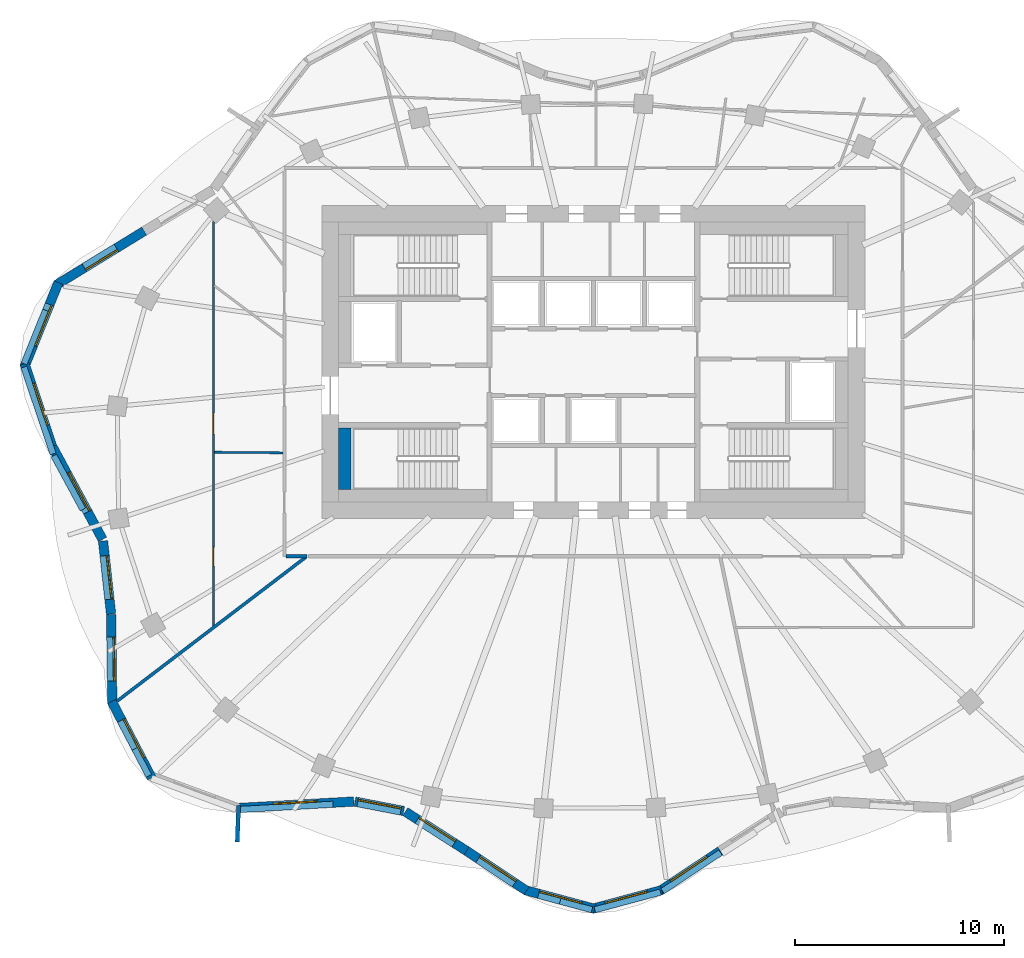
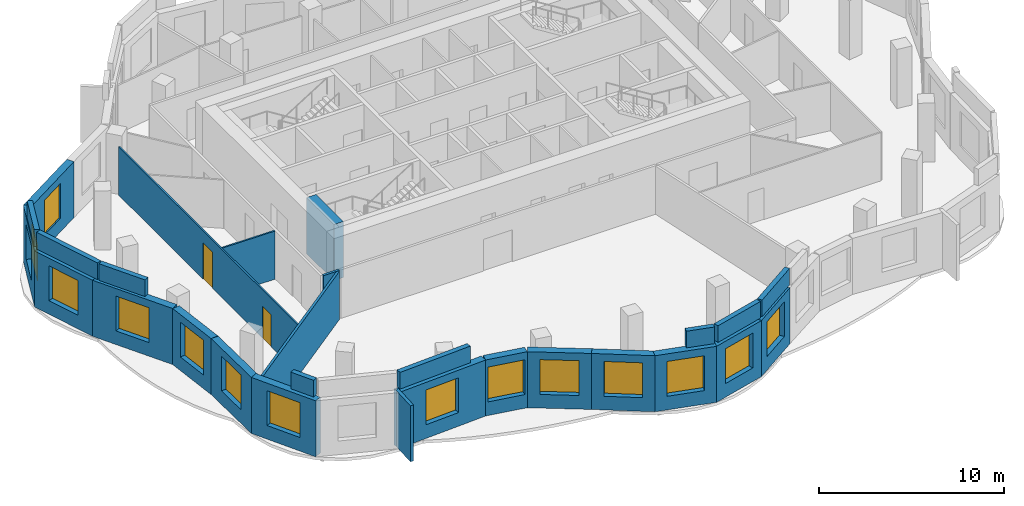
# One storey, part 3 of 9: 28 walls, 14 windows, 2 doors, 16 openings.
"""IFC4 building model written with IfcOpenShell, lengths in metres."""

import ifcopenshell
import ifcopenshell.guid

model = None  # the IFC model being written
_history = None  # IfcOwnerHistory: only IFC2X3 demands one
_inside = {}  # id of a spatial element -> (the spatial element, [elements in it])
_under = {}  # id of a project, library or spatial element -> (it, [spatial elements below it])
_declared = {}  # id of a project -> (the project, [libraries it declares])
_typed = {}  # id of a type object -> (the type object, [elements of that type])
_made_of = {}  # id of a material, layer set ... -> (it, [elements and type objects made of it])


def new_model(schema):
    """Start an empty IFC model of exactly this schema.

    Asked for "IFC4X3", IfcOpenShell would pick the latest addendum, in which some entities
    have other attributes; the version numbers below select the first issue.
    IFC2X3 requires an IfcOwnerHistory on every rooted entity: one is made here for all.
    """
    global model, _history
    if schema == "IFC4X3":
        model = ifcopenshell.file(schema_version=(4, 3, 0, 0))
    else:
        model = ifcopenshell.file(schema=schema)
    _inside.clear()
    _under.clear()
    _declared.clear()
    _typed.clear()
    _made_of.clear()
    _history = None
    if model.schema == "IFC2X3":
        org = make("IfcOrganization", Name="unknown")
        user = make(
            "IfcPersonAndOrganization",
            ThePerson=make("IfcPerson", FamilyName="unknown"),
            TheOrganization=org,
        )
        app = make(
            "IfcApplication",
            ApplicationDeveloper=org,
            Version="unknown",
            ApplicationFullName="unknown",
            ApplicationIdentifier="unknown",
        )
        _history = make(
            "IfcOwnerHistory",
            OwningUser=user,
            OwningApplication=app,
            ChangeAction="ADDED",
            CreationDate=0,
        )
    return model


def make(cls, **values):
    """One entity of the class cls with the attributes given. An attribute that is None is left unset."""
    return model.create_entity(
        cls, **{name: value for name, value in values.items() if value is not None}
    )


def rooted(cls, **values):
    """An entity with a GlobalId (a new one), such as an element, a storey or a relation."""
    return make(cls, GlobalId=ifcopenshell.guid.new(), OwnerHistory=_history, **values)


def si_unit(unit_type, name, prefix=None):
    """IfcSIUnit, for example si_unit("LENGTHUNIT", "METRE", prefix="MILLI")."""
    return make("IfcSIUnit", UnitType=unit_type, Prefix=prefix, Name=name)


def assignment(units):
    """IfcUnitAssignment: the units of a project."""
    return None if units is None else make("IfcUnitAssignment", Units=units)


def point(xyz):
    """IfcCartesianPoint."""
    return None if xyz is None else make("IfcCartesianPoint", Coordinates=xyz)


def direction(xyz):
    """IfcDirection."""
    return None if xyz is None else make("IfcDirection", DirectionRatios=xyz)


def frame(location, z_axis=None, x_axis=None):
    """IfcAxis2Placement3D, a coordinate frame: its origin and axes. An axis left out is left unset."""
    return make(
        "IfcAxis2Placement3D",
        Location=point(location),
        Axis=direction(z_axis),
        RefDirection=direction(x_axis),
    )


def frame_2d(location, x_axis=None):
    """IfcAxis2Placement2D, a coordinate frame in the plane: its origin and x axis."""
    return make(
        "IfcAxis2Placement2D", Location=point(location), RefDirection=direction(x_axis)
    )


def origin():
    """The frame at (0, 0, 0) with its axes left unset."""
    return frame((0.0, 0.0, 0.0))


def place(relative_to, where):
    """IfcLocalPlacement: puts the frame where relative to a parent placement (None: the world)."""
    return make(
        "IfcLocalPlacement", PlacementRelTo=relative_to, RelativePlacement=where
    )


def context(
    kind, dimensions, precision=None, world=None, true_north=None, identifier=None
):
    """IfcGeometricRepresentationContext, for example the 3D "Model" context."""
    return make(
        "IfcGeometricRepresentationContext",
        ContextIdentifier=identifier,
        ContextType=kind,
        CoordinateSpaceDimension=dimensions,
        Precision=precision,
        WorldCoordinateSystem=world,
        TrueNorth=true_north,
    )


def subcontext(parent, identifier, kind, view, scale=None):
    """IfcGeometricRepresentationSubContext, for example "Body" below "Model"."""
    return make(
        "IfcGeometricRepresentationSubContext",
        ContextIdentifier=identifier,
        ContextType=kind,
        ParentContext=parent,
        TargetScale=scale,
        TargetView=view,
    )


def project(units=None, contexts=None):
    """IfcProject with its units and contexts."""
    return rooted(
        "IfcProject",
        Name="project",
        RepresentationContexts=contexts,
        UnitsInContext=assignment(units),
    )


def spatial(cls, under=None, at=None, **own):
    """A site, building, storey or space (cls), placed at a placement, below another one or the project."""
    s = rooted(cls, ObjectPlacement=at, **own)
    if under is not None:
        _under.setdefault(under.id(), (under, []))[1].append(s)
    return s


def profile(cls, at=None, kind="AREA", **sizes):
    """A parametric profile (cls). Its sizes go by their IFC names, for example OverallWidth=200.0."""
    return make(cls, ProfileType=kind, Position=at, **sizes)


def rectangle(**sizes):
    """IfcRectangleProfileDef."""
    return profile("IfcRectangleProfileDef", **sizes)


def extrude(swept, where, along, depth):
    """IfcExtrudedAreaSolid: the profile swept, set in the frame where, extruded along a direction by depth."""
    return make(
        "IfcExtrudedAreaSolid",
        SweptArea=swept,
        Position=where,
        ExtrudedDirection=direction(along),
        Depth=depth,
    )


def shape(context_of_items, identifier, shape_type, items):
    """IfcShapeRepresentation: the items that make up one representation, for example the "Body"."""
    return make(
        "IfcShapeRepresentation",
        ContextOfItems=context_of_items,
        RepresentationIdentifier=identifier,
        RepresentationType=shape_type,
        Items=items,
    )


def material(Name=None, Category=None):
    """IfcMaterial."""
    return make("IfcMaterial", Name=Name, Category=Category)


def layer(
    of_material, thickness, ventilated=None, Name=None, Category=None, Priority=None
):
    """IfcMaterialLayer: one layer of a wall or slab, of a material (None: an air gap)."""
    return make(
        "IfcMaterialLayer",
        Material=of_material,
        LayerThickness=thickness,
        IsVentilated=ventilated,
        Name=Name,
        Category=Category,
        Priority=Priority,
    )


def layer_set(layers, Name=None):
    """IfcMaterialLayerSet."""
    return make("IfcMaterialLayerSet", MaterialLayers=layers, LayerSetName=Name)


def made_of(thing, what):
    """Note that an element or type object is made of a material, layer set ...; save() writes the relation."""
    if what is not None:
        _made_of.setdefault(what.id(), (what, []))[1].append(thing)
    return thing


def type_object(cls, material=None, **own):
    """A type object (cls), such as IfcWallType, which elements share."""
    return made_of(rooted(cls, **own), material)


def element(
    cls,
    number,
    at=None,
    inside=None,
    cuts=None,
    type_object=None,
    material=None,
    context=None,
    identifier="Body",
    shape_type=None,
    held_by="IfcProductDefinitionShape",
    body=None,
    shapes=None,
    **own,
):
    """One element of the class cls, such as IfcWall. Its Tag is "e" and its number.

    at: its placement. inside: the storey or other place that contains it. cuts: it is an
    opening in that element (IfcRelVoidsElement). A single representation is given by context,
    identifier, shape_type and body (its items); several are given by shapes. held_by: the class
    of the entity that holds the representations. save() writes the other relations.
    """
    e = rooted(cls, Tag="e%d" % number, ObjectPlacement=at, **own)
    if body is not None:
        shapes = [shape(context, identifier, shape_type, body)]
    if shapes is not None:
        e.Representation = make(held_by, Representations=shapes)
    if inside is not None:
        _inside.setdefault(inside.id(), (inside, []))[1].append(e)
    if cuts is not None:
        rooted(
            "IfcRelVoidsElement", RelatingBuildingElement=cuts, RelatedOpeningElement=e
        )
    if type_object is not None:
        _typed.setdefault(type_object.id(), (type_object, []))[1].append(e)
    return made_of(e, material)


def fill(opening, filler):
    """IfcRelFillsElement: the door or window that sits in an opening."""
    return rooted(
        "IfcRelFillsElement",
        RelatingOpeningElement=opening,
        RelatedBuildingElement=filler,
    )


def aggregate(whole, parts):
    """IfcRelAggregates: a whole, such as a stair, and the parts it consists of."""
    return rooted("IfcRelAggregates", RelatingObject=whole, RelatedObjects=parts)


def save(model, path):
    """Write the relations noted so far, then the file.

    IfcRelAggregates (storeys below a building ...), IfcRelContainedInSpatialStructure (elements
    in a storey), IfcRelDefinesByType, IfcRelAssociatesMaterial and IfcRelDeclares: one each for
    every whole, place, type object, material and project.
    """
    for whole, parts in _under.values():
        aggregate(whole, parts)
    for where, things in _inside.values():
        rooted(
            "IfcRelContainedInSpatialStructure",
            RelatedElements=things,
            RelatingStructure=where,
        )
    for kind, things in _typed.values():
        rooted("IfcRelDefinesByType", RelatedObjects=things, RelatingType=kind)
    for what, things in _made_of.values():
        rooted("IfcRelAssociatesMaterial", RelatedObjects=things, RelatingMaterial=what)
    for by, libraries in _declared.values():
        rooted("IfcRelDeclares", RelatingContext=by, RelatedDefinitions=libraries)
    model.write(path)


model = new_model("IFC4")

# Units and contexts
model_context = context("Model", 3, precision=1e-05, world=origin(), true_north=direction((0.0, 1.0)))
body_context = subcontext(model_context, "Body", "Model", "MODEL_VIEW")
ifc_project = project(units=[si_unit("LENGTHUNIT", "METRE"), si_unit("AREAUNIT", "SQUARE_METRE"), si_unit("VOLUMEUNIT", "CUBIC_METRE"), si_unit("PLANEANGLEUNIT", "RADIAN"), si_unit("MASSUNIT", "GRAM", prefix="KILO")], contexts=[model_context])

# Site, building, storey
site_placement = place(None, origin())
site = spatial("IfcSite", under=ifc_project, at=site_placement, CompositionType="ELEMENT")
building_placement = place(site_placement, origin())
building = spatial("IfcBuilding", under=site, at=building_placement, Name="Rubra Terraces Tower", CompositionType="ELEMENT")
storey_placement = place(building_placement, frame((0.0, 0.0, 268.800048828125)))
storey = spatial("IfcBuildingStorey", under=building, at=storey_placement, Name="L66", CompositionType="ELEMENT", Elevation=268.800048828125)

# Wall, opening, window
ifc_material_1 = material(Name="Brick masonry red-brown", Category="masonry")
ifc_layer_1 = layer(ifc_material_1, 0.449951171875)
ifc_layer_set_1 = layer_set([ifc_layer_1], Name="Brick masonry red-brown")
wall_type_1 = type_object("IfcWallType", Name="Brick facade wall 450", PredefinedType="SOLIDWALL", material=ifc_layer_set_1)
wall_1_placement = place(storey_placement, frame((-21.509521484375, 10.77490234375, 0.0), z_axis=(0.0, 0.0, 1.0), x_axis=(-0.852642584462, -0.522494615439, 0.0)))
wall_1 = element("IfcWall", 1, at=wall_1_placement, inside=storey, type_object=wall_type_1, Name="Facade wall L66 bay 18", PredefinedType="SOLIDWALL", context=body_context, shape_type="SweptSolid", body=[
    extrude(rectangle(XDim=4.923583984375, YDim=0.449951171875, at=frame_2d((2.4619140625, 0.0))), origin(), (0.0, 0.0, 1.0), 3.699951171875),
])
opening_1_placement = place(wall_1_placement, frame((1.561767578125, 0.0, 0.89990234375)))
opening_1 = element("IfcOpeningElement", 2, at=opening_1_placement, cuts=wall_1, Name="Opening W6B", PredefinedType="OPENING", context=body_context, shape_type="SweptSolid", body=[
    extrude(rectangle(XDim=1.800048828125, YDim=2.300048828125, at=frame_2d((0.89990234375, 1.14990234375))), frame((0.0, 0.23486328125, 0.0), z_axis=(0.0, -1.0, 0.0), x_axis=(1.0, 0.0, 0.0)), (0.0, 0.0, 1.0), 0.469970703125),
])
ifc_material_2 = material(Name="Clear glass in aluminium frame", Category="aluminium")
window_type_1 = type_object("IfcWindowType", Name="Fixed deep-set window at wind fin tall storey 1800 x 2300", PartitioningType="SINGLE_PANEL", PredefinedType="WINDOW", material=ifc_material_2)
window_1_placement = place(opening_1_placement, origin())
window_1 = element("IfcWindow", 3, at=window_1_placement, inside=storey, type_object=window_type_1, Name="Window L66 bay 18", OverallHeight=2.300048828125, OverallWidth=1.800048828125, PartitioningType="SINGLE_PANEL", PredefinedType="WINDOW", context=body_context, shape_type="SweptSolid", body=[
    extrude(rectangle(XDim=1.800048828125, YDim=2.300048828125, at=frame_2d((0.89990234375, 1.14990234375))), frame((0.0, 0.135009765625, 0.0), z_axis=(0.0, -1.0, 0.0), x_axis=(1.0, 0.0, 0.0)), (0.0, 0.0, 1.0), 0.06005859375),
])
fill(opening_1, window_1)

wall_2_placement = place(storey_placement, frame((-25.620361328125, 8.307861328125, 0.0), z_axis=(0.0, 0.0, 1.0), x_axis=(-0.373899958574, -0.927469040442, 0.0)))
wall_2 = element("IfcWall", 4, at=wall_2_placement, inside=storey, type_object=wall_type_1, Name="Facade wall L66 bay 19", PredefinedType="SOLIDWALL", context=body_context, shape_type="SweptSolid", body=[
    extrude(rectangle(XDim=4.359130859375, YDim=0.449951171875, at=frame_2d((2.1796875, 0.0))), origin(), (0.0, 0.0, 1.0), 3.699951171875),
])
opening_2_placement = place(wall_2_placement, frame((1.129638671875, 0.0, 0.89990234375)))
opening_2 = element("IfcOpeningElement", 5, at=opening_2_placement, cuts=wall_2, Name="Opening W1B", PredefinedType="OPENING", context=body_context, shape_type="SweptSolid", body=[
    extrude(rectangle(XDim=2.10009765625, YDim=2.300048828125, at=frame_2d((1.050048828125, 1.14990234375))), frame((0.0, 0.23486328125, 0.0), z_axis=(0.0, -1.0, 0.0), x_axis=(1.0, 0.0, 0.0)), (0.0, 0.0, 1.0), 0.469970703125),
])
window_type_2 = type_object("IfcWindowType", Name="Fixed deep-set window tall storey 2100 x 2300", PartitioningType="SINGLE_PANEL", PredefinedType="WINDOW", material=ifc_material_2)
window_2_placement = place(opening_2_placement, origin())
window_2 = element("IfcWindow", 6, at=window_2_placement, inside=storey, type_object=window_type_2, Name="Window L66 bay 19", OverallHeight=2.300048828125, OverallWidth=2.10009765625, PartitioningType="SINGLE_PANEL", PredefinedType="WINDOW", context=body_context, shape_type="SweptSolid", body=[
    extrude(rectangle(XDim=2.10009765625, YDim=2.300048828125, at=frame_2d((1.050048828125, 1.14990234375))), frame((0.0, 0.135009765625, 0.0), z_axis=(0.0, -1.0, 0.0), x_axis=(1.0, 0.0, 0.0)), (0.0, 0.0, 1.0), 0.06005859375),
])
fill(opening_2, window_2)

wall_3_placement = place(storey_placement, frame((-27.24560546875, 4.420654296875, 0.0), z_axis=(0.0, 0.0, 1.0), x_axis=(0.318014723139, -0.94808577453, 0.0)))
wall_3 = element("IfcWall", 7, at=wall_3_placement, inside=storey, type_object=wall_type_1, Name="Facade wall L66 bay 20", PredefinedType="SOLIDWALL", context=body_context, shape_type="SweptSolid", body=[
    extrude(rectangle(XDim=4.179443359375, YDim=0.449951171875, at=frame_2d((2.08984375, 0.0))), origin(), (0.0, 0.0, 1.0), 3.699951171875),
])
opening_3_placement = place(wall_3_placement, frame((1.039794921875, 0.0, 0.89990234375)))
opening_3 = element("IfcOpeningElement", 8, at=opening_3_placement, cuts=wall_3, Name="Opening W1B", PredefinedType="OPENING", context=body_context, shape_type="SweptSolid", body=[
    extrude(rectangle(XDim=2.10009765625, YDim=2.300048828125, at=frame_2d((1.050048828125, 1.14990234375))), frame((0.0, 0.23486328125, 0.0), z_axis=(0.0, -1.0, 0.0), x_axis=(1.0, 0.0, 0.0)), (0.0, 0.0, 1.0), 0.469970703125),
])
window_3_placement = place(opening_3_placement, origin())
window_3 = element("IfcWindow", 9, at=window_3_placement, inside=storey, type_object=window_type_2, Name="Window L66 bay 20", OverallHeight=2.300048828125, OverallWidth=2.10009765625, PartitioningType="SINGLE_PANEL", PredefinedType="WINDOW", context=body_context, shape_type="SweptSolid", body=[
    extrude(rectangle(XDim=2.10009765625, YDim=2.300048828125, at=frame_2d((1.050048828125, 1.14990234375))), frame((0.0, 0.135009765625, 0.0), z_axis=(0.0, -1.0, 0.0), x_axis=(1.0, 0.0, 0.0)), (0.0, 0.0, 1.0), 0.06005859375),
])
fill(opening_3, window_3)

wall_4_placement = place(storey_placement, frame((-25.931884765625, 0.49365234375, 0.0), z_axis=(0.0, 0.0, 1.0), x_axis=(0.475489989979, -0.879721131626, 0.0)))
wall_4 = element("IfcWall", 10, at=wall_4_placement, inside=storey, type_object=wall_type_1, Name="Facade wall L66 bay 21", PredefinedType="SOLIDWALL", context=body_context, shape_type="SweptSolid", body=[
    extrude(rectangle(XDim=5.09814453125, YDim=0.449951171875, at=frame_2d((2.549072265625, 0.0))), origin(), (0.0, 0.0, 1.0), 3.699951171875),
])
opening_4_placement = place(wall_4_placement, frame((1.4990234375, 0.0, 0.89990234375)))
opening_4 = element("IfcOpeningElement", 11, at=opening_4_placement, cuts=wall_4, Name="Opening W1B", PredefinedType="OPENING", context=body_context, shape_type="SweptSolid", body=[
    extrude(rectangle(XDim=2.10009765625, YDim=2.300048828125, at=frame_2d((1.050048828125, 1.14990234375))), frame((0.0, 0.23486328125, 0.0), z_axis=(0.0, -1.0, 0.0), x_axis=(1.0, 0.0, 0.0)), (0.0, 0.0, 1.0), 0.469970703125),
])
window_4_placement = place(opening_4_placement, origin())
window_4 = element("IfcWindow", 12, at=window_4_placement, inside=storey, type_object=window_type_2, Name="Window L66 bay 21", OverallHeight=2.300048828125, OverallWidth=2.10009765625, PartitioningType="SINGLE_PANEL", PredefinedType="WINDOW", context=body_context, shape_type="SweptSolid", body=[
    extrude(rectangle(XDim=2.10009765625, YDim=2.300048828125, at=frame_2d((1.050048828125, 1.14990234375))), frame((0.0, 0.135009765625, 0.0), z_axis=(0.0, -1.0, 0.0), x_axis=(1.0, 0.0, 0.0)), (0.0, 0.0, 1.0), 0.06005859375),
])
fill(opening_4, window_4)

wall_5_placement = place(storey_placement, frame((-23.48291015625, -4.0673828125, 0.0), z_axis=(0.0, 0.0, 1.0), x_axis=(0.109342535662, -0.994004129717, 0.0)))
wall_5 = element("IfcWall", 13, at=wall_5_placement, inside=storey, type_object=wall_type_1, Name="Facade wall L66 bay 22", PredefinedType="SOLIDWALL", context=body_context, shape_type="SweptSolid", body=[
    extrude(rectangle(XDim=3.518798828125, YDim=0.449951171875, at=frame_2d((1.75927734375, 0.0))), origin(), (0.0, 0.0, 1.0), 3.699951171875),
])
opening_5_placement = place(wall_5_placement, frame((0.70947265625, 0.0, 0.89990234375)))
opening_5 = element("IfcOpeningElement", 14, at=opening_5_placement, cuts=wall_5, Name="Opening W1B", PredefinedType="OPENING", context=body_context, shape_type="SweptSolid", body=[
    extrude(rectangle(XDim=2.10009765625, YDim=2.300048828125, at=frame_2d((1.050048828125, 1.14990234375))), frame((0.0, 0.23486328125, 0.0), z_axis=(0.0, -1.0, 0.0), x_axis=(1.0, 0.0, 0.0)), (0.0, 0.0, 1.0), 0.469970703125),
])
window_5_placement = place(opening_5_placement, origin())
window_5 = element("IfcWindow", 15, at=window_5_placement, inside=storey, type_object=window_type_2, Name="Window L66 bay 22", OverallHeight=2.300048828125, OverallWidth=2.10009765625, PartitioningType="SINGLE_PANEL", PredefinedType="WINDOW", context=body_context, shape_type="SweptSolid", body=[
    extrude(rectangle(XDim=2.10009765625, YDim=2.300048828125, at=frame_2d((1.050048828125, 1.14990234375))), frame((0.0, 0.135009765625, 0.0), z_axis=(0.0, -1.0, 0.0), x_axis=(1.0, 0.0, 0.0)), (0.0, 0.0, 1.0), 0.06005859375),
])
fill(opening_5, window_5)

wall_6_placement = place(storey_placement, frame((-23.09619140625, -7.587890625, 0.0), z_axis=(0.0, 0.0, 1.0), x_axis=(0.013129602116, -0.999913803059, 0.0)))
wall_6 = element("IfcWall", 16, at=wall_6_placement, inside=storey, type_object=wall_type_1, Name="Facade wall L66 bay 23", PredefinedType="SOLIDWALL", context=body_context, shape_type="SweptSolid", body=[
    extrude(rectangle(XDim=4.25830078125, YDim=0.449951171875, at=frame_2d((2.129150390625, 0.0))), origin(), (0.0, 0.0, 1.0), 3.699951171875),
])
opening_6_placement = place(wall_6_placement, frame((1.0791015625, 0.0, 0.89990234375)))
opening_6 = element("IfcOpeningElement", 17, at=opening_6_placement, cuts=wall_6, Name="Opening W1B", PredefinedType="OPENING", context=body_context, shape_type="SweptSolid", body=[
    extrude(rectangle(XDim=2.10009765625, YDim=2.300048828125, at=frame_2d((1.050048828125, 1.14990234375))), frame((0.0, 0.23486328125, 0.0), z_axis=(0.0, -1.0, 0.0), x_axis=(1.0, 0.0, 0.0)), (0.0, 0.0, 1.0), 0.469970703125),
])
window_6_placement = place(opening_6_placement, origin())
window_6 = element("IfcWindow", 18, at=window_6_placement, inside=storey, type_object=window_type_2, Name="Window L66 bay 23", OverallHeight=2.300048828125, OverallWidth=2.10009765625, PartitioningType="SINGLE_PANEL", PredefinedType="WINDOW", context=body_context, shape_type="SweptSolid", body=[
    extrude(rectangle(XDim=2.10009765625, YDim=2.300048828125, at=frame_2d((1.050048828125, 1.14990234375))), frame((0.0, 0.135009765625, 0.0), z_axis=(0.0, -1.0, 0.0), x_axis=(1.0, 0.0, 0.0)), (0.0, 0.0, 1.0), 0.06005859375),
])
fill(opening_6, window_6)

wall_7_placement = place(storey_placement, frame((-23.065673828125, -11.75, 0.0), z_axis=(0.0, 0.0, 1.0), x_axis=(0.46287314096, -0.886424534508, 0.0)))
wall_7 = element("IfcWall", 19, at=wall_7_placement, inside=storey, type_object=wall_type_1, Name="Facade wall L66 bay 24", PredefinedType="SOLIDWALL", context=body_context, shape_type="SweptSolid", body=[
    extrude(rectangle(XDim=4.12890625, YDim=0.449951171875, at=frame_2d((2.064453125, 0.0))), origin(), (0.0, 0.0, 1.0), 3.699951171875),
])
opening_7_placement = place(wall_7_placement, frame((1.014404296875, 0.0, 0.89990234375)))
opening_7 = element("IfcOpeningElement", 20, at=opening_7_placement, cuts=wall_7, Name="Opening W1B", PredefinedType="OPENING", context=body_context, shape_type="SweptSolid", body=[
    extrude(rectangle(XDim=2.10009765625, YDim=2.300048828125, at=frame_2d((1.050048828125, 1.14990234375))), frame((0.0, 0.23486328125, 0.0), z_axis=(0.0, -1.0, 0.0), x_axis=(1.0, 0.0, 0.0)), (0.0, 0.0, 1.0), 0.469970703125),
])
window_7_placement = place(opening_7_placement, origin())
window_7 = element("IfcWindow", 21, at=window_7_placement, inside=storey, type_object=window_type_2, Name="Window L66 bay 24", OverallHeight=2.300048828125, OverallWidth=2.10009765625, PartitioningType="SINGLE_PANEL", PredefinedType="WINDOW", context=body_context, shape_type="SweptSolid", body=[
    extrude(rectangle(XDim=2.10009765625, YDim=2.300048828125, at=frame_2d((1.050048828125, 1.14990234375))), frame((0.0, 0.135009765625, 0.0), z_axis=(0.0, -1.0, 0.0), x_axis=(1.0, 0.0, 0.0)), (0.0, 0.0, 1.0), 0.06005859375),
])
fill(opening_7, window_7)

wall_8_placement = place(storey_placement, frame((-17.0966796875, -16.859375, 0.0), z_axis=(0.0, 0.0, 1.0), x_axis=(0.998420892714, 0.056175804331, 0.0)))
wall_8 = element("IfcWall", 22, at=wall_8_placement, inside=storey, type_object=wall_type_1, Name="Facade wall L66 bay 26", PredefinedType="SOLIDWALL", context=body_context, shape_type="SweptSolid", body=[
    extrude(rectangle(XDim=5.63232421875, YDim=0.449951171875, at=frame_2d((2.816162109375, 0.0))), origin(), (0.0, 0.0, 1.0), 3.699951171875),
])
opening_8_placement = place(wall_8_placement, frame((1.76611328125, 0.0, 0.89990234375)))
opening_8 = element("IfcOpeningElement", 23, at=opening_8_placement, cuts=wall_8, Name="Opening W1B", PredefinedType="OPENING", context=body_context, shape_type="SweptSolid", body=[
    extrude(rectangle(XDim=2.10009765625, YDim=2.300048828125, at=frame_2d((1.050048828125, 1.14990234375))), frame((0.0, 0.23486328125, 0.0), z_axis=(0.0, -1.0, 0.0), x_axis=(1.0, 0.0, 0.0)), (0.0, 0.0, 1.0), 0.469970703125),
])
window_8_placement = place(opening_8_placement, origin())
window_8 = element("IfcWindow", 24, at=window_8_placement, inside=storey, type_object=window_type_2, Name="Window L66 bay 26", OverallHeight=2.300048828125, OverallWidth=2.10009765625, PartitioningType="SINGLE_PANEL", PredefinedType="WINDOW", context=body_context, shape_type="SweptSolid", body=[
    extrude(rectangle(XDim=2.10009765625, YDim=2.300048828125, at=frame_2d((1.050048828125, 1.14990234375))), frame((0.0, 0.135009765625, 0.0), z_axis=(0.0, -1.0, 0.0), x_axis=(1.0, 0.0, 0.0)), (0.0, 0.0, 1.0), 0.06005859375),
])
fill(opening_8, window_8)

wall_9_placement = place(storey_placement, frame((-11.41796875, -16.546630859375, 0.0), z_axis=(0.0, 0.0, 1.0), x_axis=(0.981862580857, -0.189593966973, 0.0)))
wall_9 = element("IfcWall", 25, at=wall_9_placement, inside=storey, type_object=wall_type_1, Name="Facade wall L66 bay 27", PredefinedType="SOLIDWALL", context=body_context, shape_type="SweptSolid", body=[
    extrude(rectangle(XDim=2.377197265625, YDim=0.449951171875, at=frame_2d((1.1884765625, 0.0))), origin(), (0.0, 0.0, 1.0), 3.699951171875),
])
opening_9_placement = place(wall_9_placement, frame((0.138427734375, 0.0, 0.89990234375)))
opening_9 = element("IfcOpeningElement", 26, at=opening_9_placement, cuts=wall_9, Name="Opening W1B", PredefinedType="OPENING", context=body_context, shape_type="SweptSolid", body=[
    extrude(rectangle(XDim=2.10009765625, YDim=2.300048828125, at=frame_2d((1.050048828125, 1.14990234375))), frame((0.0, 0.23486328125, 0.0), z_axis=(0.0, -1.0, 0.0), x_axis=(1.0, 0.0, 0.0)), (0.0, 0.0, 1.0), 0.469970703125),
])
window_9_placement = place(opening_9_placement, origin())
window_9 = element("IfcWindow", 27, at=window_9_placement, inside=storey, type_object=window_type_2, Name="Window L66 bay 27", OverallHeight=2.300048828125, OverallWidth=2.10009765625, PartitioningType="SINGLE_PANEL", PredefinedType="WINDOW", context=body_context, shape_type="SweptSolid", body=[
    extrude(rectangle(XDim=2.10009765625, YDim=2.300048828125, at=frame_2d((1.050048828125, 1.14990234375))), frame((0.0, 0.135009765625, 0.0), z_axis=(0.0, -1.0, 0.0), x_axis=(1.0, 0.0, 0.0)), (0.0, 0.0, 1.0), 0.06005859375),
])
fill(opening_9, window_9)

wall_10_placement = place(storey_placement, frame((-9.00732421875, -17.027587890625, 0.0), z_axis=(0.0, 0.0, 1.0), x_axis=(0.841884040276, -0.539658468596, 0.0)))
wall_10 = element("IfcWall", 28, at=wall_10_placement, inside=storey, type_object=wall_type_1, Name="Facade wall L66 bay 28", PredefinedType="SOLIDWALL", context=body_context, shape_type="SweptSolid", body=[
    extrude(rectangle(XDim=3.481689453125, YDim=0.449951171875, at=frame_2d((1.74072265625, 0.0))), origin(), (0.0, 0.0, 1.0), 3.699951171875),
])
opening_10_placement = place(wall_10_placement, frame((0.69091796875, 0.0, 0.89990234375)))
opening_10 = element("IfcOpeningElement", 29, at=opening_10_placement, cuts=wall_10, Name="Opening W1B", PredefinedType="OPENING", context=body_context, shape_type="SweptSolid", body=[
    extrude(rectangle(XDim=2.10009765625, YDim=2.300048828125, at=frame_2d((1.050048828125, 1.14990234375))), frame((0.0, 0.23486328125, 0.0), z_axis=(0.0, -1.0, 0.0), x_axis=(1.0, 0.0, 0.0)), (0.0, 0.0, 1.0), 0.469970703125),
])
window_10_placement = place(opening_10_placement, origin())
window_10 = element("IfcWindow", 30, at=window_10_placement, inside=storey, type_object=window_type_2, Name="Window L66 bay 28", OverallHeight=2.300048828125, OverallWidth=2.10009765625, PartitioningType="SINGLE_PANEL", PredefinedType="WINDOW", context=body_context, shape_type="SweptSolid", body=[
    extrude(rectangle(XDim=2.10009765625, YDim=2.300048828125, at=frame_2d((1.050048828125, 1.14990234375))), frame((0.0, 0.135009765625, 0.0), z_axis=(0.0, -1.0, 0.0), x_axis=(1.0, 0.0, 0.0)), (0.0, 0.0, 1.0), 0.06005859375),
])
fill(opening_10, window_10)

wall_11_placement = place(storey_placement, frame((-6.072998046875, -18.908447265625, 0.0), z_axis=(0.0, 0.0, 1.0), x_axis=(0.832812804734, -0.553554723827, 0.0)))
wall_11 = element("IfcWall", 31, at=wall_11_placement, inside=storey, type_object=wall_type_1, Name="Facade wall L66 bay 29", PredefinedType="SOLIDWALL", context=body_context, shape_type="SweptSolid", body=[
    extrude(rectangle(XDim=3.444580078125, YDim=0.449951171875, at=frame_2d((1.72216796875, 0.0))), origin(), (0.0, 0.0, 1.0), 3.699951171875),
])
opening_11_placement = place(wall_11_placement, frame((0.67236328125, 0.0, 0.89990234375)))
opening_11 = element("IfcOpeningElement", 32, at=opening_11_placement, cuts=wall_11, Name="Opening W1B", PredefinedType="OPENING", context=body_context, shape_type="SweptSolid", body=[
    extrude(rectangle(XDim=2.10009765625, YDim=2.300048828125, at=frame_2d((1.050048828125, 1.14990234375))), frame((0.0, 0.23486328125, 0.0), z_axis=(0.0, -1.0, 0.0), x_axis=(1.0, 0.0, 0.0)), (0.0, 0.0, 1.0), 0.469970703125),
])
window_11_placement = place(opening_11_placement, origin())
window_11 = element("IfcWindow", 33, at=window_11_placement, inside=storey, type_object=window_type_2, Name="Window L66 bay 29", OverallHeight=2.300048828125, OverallWidth=2.10009765625, PartitioningType="SINGLE_PANEL", PredefinedType="WINDOW", context=body_context, shape_type="SweptSolid", body=[
    extrude(rectangle(XDim=2.10009765625, YDim=2.300048828125, at=frame_2d((1.050048828125, 1.14990234375))), frame((0.0, 0.135009765625, 0.0), z_axis=(0.0, -1.0, 0.0), x_axis=(1.0, 0.0, 0.0)), (0.0, 0.0, 1.0), 0.06005859375),
])
fill(opening_11, window_11)

wall_12_placement = place(storey_placement, frame((-3.2685546875, -20.78662109375, 0.0), z_axis=(0.0, 0.0, 1.0), x_axis=(0.965599337995, -0.260034456299, 0.0)))
wall_12 = element("IfcWall", 34, at=wall_12_placement, inside=storey, type_object=wall_type_1, Name="Facade wall L66 bay 30", PredefinedType="SOLIDWALL", context=body_context, shape_type="SweptSolid", body=[
    extrude(rectangle(XDim=3.44580078125, YDim=0.449951171875, at=frame_2d((1.722900390625, 0.0))), origin(), (0.0, 0.0, 1.0), 3.699951171875),
])
opening_12_placement = place(wall_12_placement, frame((0.6728515625, 0.0, 0.89990234375)))
opening_12 = element("IfcOpeningElement", 35, at=opening_12_placement, cuts=wall_12, Name="Opening W1B", PredefinedType="OPENING", context=body_context, shape_type="SweptSolid", body=[
    extrude(rectangle(XDim=2.10009765625, YDim=2.300048828125, at=frame_2d((1.050048828125, 1.14990234375))), frame((0.0, 0.23486328125, 0.0), z_axis=(0.0, -1.0, 0.0), x_axis=(1.0, 0.0, 0.0)), (0.0, 0.0, 1.0), 0.469970703125),
])
window_12_placement = place(opening_12_placement, origin())
window_12 = element("IfcWindow", 36, at=window_12_placement, inside=storey, type_object=window_type_2, Name="Window L66 bay 30", OverallHeight=2.300048828125, OverallWidth=2.10009765625, PartitioningType="SINGLE_PANEL", PredefinedType="WINDOW", context=body_context, shape_type="SweptSolid", body=[
    extrude(rectangle(XDim=2.10009765625, YDim=2.300048828125, at=frame_2d((1.050048828125, 1.14990234375))), frame((0.0, 0.135009765625, 0.0), z_axis=(0.0, -1.0, 0.0), x_axis=(1.0, 0.0, 0.0)), (0.0, 0.0, 1.0), 0.06005859375),
])
fill(opening_12, window_12)

wall_13_placement = place(storey_placement, frame((-0.05859375, -21.6826171875, 0.0), z_axis=(0.0, 0.0, 1.0), x_axis=(0.965599337995, 0.260034456299, 0.0)))
wall_13 = element("IfcWall", 37, at=wall_13_placement, inside=storey, type_object=wall_type_1, Name="Facade wall L66 bay 31", PredefinedType="SOLIDWALL", context=body_context, shape_type="SweptSolid", body=[
    extrude(rectangle(XDim=3.44580078125, YDim=0.449951171875, at=frame_2d((1.722900390625, 0.0))), origin(), (0.0, 0.0, 1.0), 3.699951171875),
])
opening_13_placement = place(wall_13_placement, frame((0.6728515625, 0.0, 0.89990234375)))
opening_13 = element("IfcOpeningElement", 38, at=opening_13_placement, cuts=wall_13, Name="Opening W1B", PredefinedType="OPENING", context=body_context, shape_type="SweptSolid", body=[
    extrude(rectangle(XDim=2.10009765625, YDim=2.300048828125, at=frame_2d((1.050048828125, 1.14990234375))), frame((0.0, 0.23486328125, 0.0), z_axis=(0.0, -1.0, 0.0), x_axis=(1.0, 0.0, 0.0)), (0.0, 0.0, 1.0), 0.469970703125),
])
window_13_placement = place(opening_13_placement, origin())
window_13 = element("IfcWindow", 39, at=window_13_placement, inside=storey, type_object=window_type_2, Name="Window L66 bay 31", OverallHeight=2.300048828125, OverallWidth=2.10009765625, PartitioningType="SINGLE_PANEL", PredefinedType="WINDOW", context=body_context, shape_type="SweptSolid", body=[
    extrude(rectangle(XDim=2.10009765625, YDim=2.300048828125, at=frame_2d((1.050048828125, 1.14990234375))), frame((0.0, 0.135009765625, 0.0), z_axis=(0.0, -1.0, 0.0), x_axis=(1.0, 0.0, 0.0)), (0.0, 0.0, 1.0), 0.06005859375),
])
fill(opening_13, window_13)

wall_14_placement = place(storey_placement, frame((3.204345703125, -20.815185546875, 0.0), z_axis=(0.0, 0.0, 1.0), x_axis=(0.832867193319, 0.553472888489, 0.0)))
wall_14 = element("IfcWall", 40, at=wall_14_placement, inside=storey, type_object=wall_type_1, Name="Facade wall L66 bay 32", PredefinedType="SOLIDWALL", context=body_context, shape_type="SweptSolid", body=[
    extrude(rectangle(XDim=3.444580078125, YDim=0.449951171875, at=frame_2d((1.72216796875, 0.0))), origin(), (0.0, 0.0, 1.0), 3.699951171875),
])
opening_14_placement = place(wall_14_placement, frame((0.67236328125, 0.0, 0.89990234375)))
opening_14 = element("IfcOpeningElement", 41, at=opening_14_placement, cuts=wall_14, Name="Opening W1B", PredefinedType="OPENING", context=body_context, shape_type="SweptSolid", body=[
    extrude(rectangle(XDim=2.10009765625, YDim=2.300048828125, at=frame_2d((1.050048828125, 1.14990234375))), frame((0.0, 0.23486328125, 0.0), z_axis=(0.0, -1.0, 0.0), x_axis=(1.0, 0.0, 0.0)), (0.0, 0.0, 1.0), 0.469970703125),
])
window_14_placement = place(opening_14_placement, origin())
window_14 = element("IfcWindow", 42, at=window_14_placement, inside=storey, type_object=window_type_2, Name="Window L66 bay 32", OverallHeight=2.300048828125, OverallWidth=2.10009765625, PartitioningType="SINGLE_PANEL", PredefinedType="WINDOW", context=body_context, shape_type="SweptSolid", body=[
    extrude(rectangle(XDim=2.10009765625, YDim=2.300048828125, at=frame_2d((1.050048828125, 1.14990234375))), frame((0.0, 0.135009765625, 0.0), z_axis=(0.0, -1.0, 0.0), x_axis=(1.0, 0.0, 0.0)), (0.0, 0.0, 1.0), 0.06005859375),
])
fill(opening_14, window_14)

# Walls
ifc_layer_2 = layer(ifc_material_1, 0.300048828125)
ifc_layer_set_2 = layer_set([ifc_layer_2], Name="Brick masonry red-brown")
wall_type_2 = type_object("IfcWallType", Name="Brick parapet 300", PredefinedType="PARAPET", material=ifc_layer_set_2)
wall_15_placement = place(storey_placement, frame((-26.235107421875, 6.9833984375, 3.89990234375), z_axis=(0.0, 0.0, 1.0), x_axis=(-0.373951156773, -0.927448398752, 0.0)))
element("IfcWall", 43, at=wall_15_placement, inside=storey, type_object=wall_type_2, Name="Parapet L66 bay 19", PredefinedType="PARAPET", context=body_context, shape_type="SweptSolid", body=[
    extrude(rectangle(XDim=2.76025390625, YDim=0.300048828125, at=frame_2d((1.380126953125, 0.0))), origin(), (0.0, 0.0, 1.0), 1.10009765625),
])
wall_16_placement = place(storey_placement, frame((-27.27197265625, 4.26318359375, 3.89990234375), z_axis=(0.0, 0.0, 1.0), x_axis=(0.318062148405, -0.948069865438, 0.0)))
element("IfcWall", 44, at=wall_16_placement, inside=storey, type_object=wall_type_2, Name="Parapet L66 bay 20", PredefinedType="PARAPET", context=body_context, shape_type="SweptSolid", body=[
    extrude(rectangle(XDim=4.390625, YDim=0.300048828125, at=frame_2d((2.1953125, 0.0))), origin(), (0.0, 0.0, 1.0), 1.10009765625),
])
wall_17_placement = place(storey_placement, frame((-25.841552734375, 0.022216796875, 3.89990234375), z_axis=(0.0, 0.0, 1.0), x_axis=(0.475470000897, -0.879731935448, 0.0)))
element("IfcWall", 45, at=wall_17_placement, inside=storey, type_object=wall_type_2, Name="Parapet L66 bay 21", PredefinedType="PARAPET", context=body_context, shape_type="SweptSolid", body=[
    extrude(rectangle(XDim=2.931396484375, YDim=0.300048828125, at=frame_2d((1.4658203125, 0.0))), origin(), (0.0, 0.0, 1.0), 1.10009765625),
])
wall_18_placement = place(storey_placement, frame((-21.9638671875, -14.022216796875, 3.89990234375), z_axis=(0.0, 0.0, 1.0), x_axis=(0.462943478274, -0.88638780222, 0.0)))
element("IfcWall", 46, at=wall_18_placement, inside=storey, type_object=wall_type_2, Name="Parapet L66 bay 24", PredefinedType="PARAPET", context=body_context, shape_type="SweptSolid", body=[
    extrude(rectangle(XDim=1.458740234375, YDim=0.300048828125, at=frame_2d((0.7294921875, 0.0))), origin(), (0.0, 0.0, 1.0), 1.10009765625),
])
wall_19_placement = place(storey_placement, frame((-17.00048828125, -16.92919921875, 3.89990234375), z_axis=(0.0, 0.0, 1.0), x_axis=(0.998421373715, 0.056167254777, 0.0)))
element("IfcWall", 47, at=wall_19_placement, inside=storey, type_object=wall_type_2, Name="Parapet L66 bay 26", PredefinedType="PARAPET", context=body_context, shape_type="SweptSolid", body=[
    extrude(rectangle(XDim=4.537841796875, YDim=0.300048828125, at=frame_2d((2.26904296875, 0.0))), origin(), (0.0, 0.0, 1.0), 1.10009765625),
])
wall_20_placement = place(storey_placement, frame((-1.593017578125, -21.315673828125, 3.89990234375), z_axis=(0.0, 0.0, 1.0), x_axis=(0.965600830508, -0.260028914011, 0.0)))
element("IfcWall", 48, at=wall_20_placement, inside=storey, type_object=wall_type_2, Name="Parapet L66 bay 30", PredefinedType="PARAPET", context=body_context, shape_type="SweptSolid", body=[
    extrude(rectangle(XDim=1.579345703125, YDim=0.300048828125, at=frame_2d((0.78955078125, 0.0))), origin(), (0.0, 0.0, 1.0), 1.10009765625),
])
wall_21_placement = place(storey_placement, frame((0.068115234375, -21.726318359375, 3.89990234375), z_axis=(0.0, 0.0, 1.0), x_axis=(0.965594759291, 0.260051458043, 0.0)))
element("IfcWall", 49, at=wall_21_placement, inside=storey, type_object=wall_type_2, Name="Parapet L66 bay 31", PredefinedType="PARAPET", context=body_context, shape_type="SweptSolid", body=[
    extrude(rectangle(XDim=3.255859375, YDim=0.300048828125, at=frame_2d((1.6279296875, 0.0))), origin(), (0.0, 0.0, 1.0), 1.10009765625),
])
wall_22_placement = place(storey_placement, frame((3.309814453125, -20.83544921875, 3.89990234375), z_axis=(0.0, 0.0, 1.0), x_axis=(0.832814698778, 0.553551874262, 0.0)))
element("IfcWall", 50, at=wall_22_placement, inside=storey, type_object=wall_type_2, Name="Parapet L66 bay 32", PredefinedType="PARAPET", context=body_context, shape_type="SweptSolid", body=[
    extrude(rectangle(XDim=3.337890625, YDim=0.300048828125, at=frame_2d((1.6689453125, 0.0))), origin(), (0.0, 0.0, 1.0), 1.10009765625),
])
ifc_layer_3 = layer(ifc_material_1, 0.199951171875)
ifc_layer_set_3 = layer_set([ifc_layer_3], Name="Brick masonry red-brown")
wall_type_3 = type_object("IfcWallType", Name="Brick wind fin 200", PredefinedType="SOLIDWALL", material=ifc_layer_set_3)
wall_23_placement = place(storey_placement, frame((-16.989990234375, -16.737060546875, 0.0), z_axis=(0.0, 0.0, 1.0), x_axis=(-0.038084872359, -0.999274508079, 0.0)))
element("IfcWall", 51, at=wall_23_placement, inside=storey, type_object=wall_type_3, Name="Wind fin L66 13", PredefinedType="SOLIDWALL", context=body_context, shape_type="SweptSolid", body=[
    extrude(rectangle(XDim=1.75, YDim=0.199951171875, at=frame_2d((0.875, 0.0))), origin(), (0.0, 0.0, 1.0), 3.699951171875),
])
ifc_material_3 = material(Name="Plasterboard on steel stud, mineral wool infill", Category="steel")
ifc_layer_4 = layer(ifc_material_3, 0.14990234375)
ifc_layer_set_4 = layer_set([ifc_layer_4], Name="Plasterboard on steel stud, mineral wool infill")
wall_type_4 = type_object("IfcWallType", Name="CORRIDOR PARTITION 150", PredefinedType="PARTITIONING", material=ifc_layer_set_4)
wall_24_placement = place(storey_placement, frame((-14.72509765625, -4.800048828125, 0.0), z_axis=(0.0, 0.0, 1.0), x_axis=(1.0, 0.0, 0.0)))
element("IfcWall", 52, at=wall_24_placement, inside=storey, type_object=wall_type_4, Name="PARTITION", PredefinedType="PARTITIONING", context=body_context, shape_type="SweptSolid", body=[
    extrude(rectangle(XDim=1.00390625, YDim=0.14990234375, at=frame_2d((0.501953125, 0.0))), origin(), (0.0, 0.0, 1.0), 3.197998046875),
])
ifc_material_4 = material(Name="Concrete C40", Category="concrete")
ifc_layer_5 = layer(ifc_material_4, 0.60009765625)
ifc_layer_set_5 = layer_set([ifc_layer_5], Name="Concrete C40")
wall_type_5 = type_object("IfcWallType", Name="Core lining wall 600 concrete", PredefinedType="SOLIDWALL", material=ifc_layer_set_5)
wall_25_placement = place(storey_placement, frame((-11.89990234375, -1.60009765625, 0.0), z_axis=(0.0, 0.0, 1.0), x_axis=(0.0, 1.0, 0.0)))
element("IfcWall", 53, at=wall_25_placement, inside=storey, type_object=wall_type_5, Name="CORE LINING WALL L66", PredefinedType="SOLIDWALL", context=body_context, shape_type="SweptSolid", body=[
    extrude(rectangle(XDim=2.9501953125, YDim=0.60009765625, at=frame_2d((1.47509765625, 0.0))), origin(), (0.0, 0.0, 1.0), 3.699951171875),
])

# Wall, openings, doors
ifc_material_5 = material(Name="Plasterboard on steel stud", Category="steel")
ifc_layer_6 = layer(ifc_material_5, 0.10009765625)
ifc_layer_set_6 = layer_set([ifc_layer_6], Name="Plasterboard on steel stud")
wall_type_6 = type_object("IfcWallType", Name="ROOM PARTITION 100", PredefinedType="PARTITIONING", material=ifc_layer_set_6)
wall_26_placement = place(storey_placement, frame((-18.199951171875, -8.192626953125, 0.0), z_axis=(0.0, 0.0, 1.0), x_axis=(0.0, 1.0, 0.0)))
wall_26 = element("IfcWall", 54, at=wall_26_placement, inside=storey, type_object=wall_type_6, Name="PARTITION", PredefinedType="PARTITIONING", context=body_context, shape_type="SweptSolid", body=[
    extrude(rectangle(XDim=19.4169921875, YDim=0.10009765625, at=frame_2d((9.70849609375, 0.0))), origin(), (0.0, 0.0, 1.0), 3.183837890625),
])
opening_15_placement = place(wall_26_placement, frame((2.919921875, 0.0, 0.0)))
opening_15 = element("IfcOpeningElement", 55, at=opening_15_placement, cuts=wall_26, Name="Opening 66-108", PredefinedType="OPENING", context=body_context, shape_type="SweptSolid", body=[
    extrude(rectangle(XDim=0.89990234375, YDim=2.10009765625, at=frame_2d((0.449951171875, 1.050048828125))), frame((0.0, 0.06005859375, 0.0), z_axis=(0.0, -1.0, 0.0), x_axis=(1.0, 0.0, 0.0)), (0.0, 0.0, 1.0), 0.1201171875),
])
opening_16_placement = place(wall_26_placement, frame((9.25, 0.0, 0.0)))
opening_16 = element("IfcOpeningElement", 56, at=opening_16_placement, cuts=wall_26, Name="Opening 66-118", PredefinedType="OPENING", context=body_context, shape_type="SweptSolid", body=[
    extrude(rectangle(XDim=1.0, YDim=2.39990234375, at=frame_2d((0.5, 1.199951171875))), frame((0.0, 0.06005859375, 0.0), z_axis=(0.0, -1.0, 0.0), x_axis=(1.0, 0.0, 0.0)), (0.0, 0.0, 1.0), 0.1201171875),
])
ifc_material_6 = material(Name="Glazed aluminium meeting door leaf", Category="aluminium")
door_type_1 = type_object("IfcDoorType", Name="MEETING ROOM GLAZED DOOR 1000 X 2400", OperationType="SINGLE_SWING_LEFT", PredefinedType="DOOR", material=ifc_material_6)
door_1_placement = place(opening_16_placement, origin())
door_1 = element("IfcDoor", 57, at=door_1_placement, inside=storey, type_object=door_type_1, Name="DOOR 66-118", OperationType="SINGLE_SWING_LEFT", OverallHeight=2.39990234375, OverallWidth=1.0, PredefinedType="DOOR", context=body_context, shape_type="SweptSolid", body=[
    extrude(rectangle(XDim=1.0, YDim=2.39990234375, at=frame_2d((0.5, 1.199951171875))), frame((0.0, 0.02490234375, 0.0), z_axis=(0.0, -1.0, 0.0), x_axis=(1.0, 0.0, 0.0)), (0.0, 0.0, 1.0), 0.050048828125),
])
fill(opening_16, door_1)
ifc_material_7 = material(Name="Painted timber door leaf", Category="wood")
door_type_2 = type_object("IfcDoorType", Name="ROOM DOOR 900 X 2100", OperationType="SINGLE_SWING_LEFT", PredefinedType="DOOR", material=ifc_material_7)
door_2_placement = place(opening_15_placement, origin())
door_2 = element("IfcDoor", 58, at=door_2_placement, inside=storey, type_object=door_type_2, Name="DOOR 66-108", OperationType="SINGLE_SWING_LEFT", OverallHeight=2.10009765625, OverallWidth=0.89990234375, PredefinedType="DOOR", context=body_context, shape_type="SweptSolid", body=[
    extrude(rectangle(XDim=0.89990234375, YDim=2.10009765625, at=frame_2d((0.449951171875, 1.050048828125))), frame((0.0, 0.02490234375, 0.0), z_axis=(0.0, -1.0, 0.0), x_axis=(1.0, 0.0, 0.0)), (0.0, 0.0, 1.0), 0.050048828125),
])
fill(opening_15, door_2)

# Walls
wall_27_placement = place(storey_placement, frame((-14.875, 0.1552734375, 0.0), z_axis=(0.0, 0.0, 1.0), x_axis=(-0.999962610899, 0.008647358198, 0.0)))
element("IfcWall", 59, at=wall_27_placement, inside=storey, type_object=wall_type_6, Name="PARTITION", PredefinedType="PARTITIONING", context=body_context, shape_type="SweptSolid", body=[
    extrude(rectangle(XDim=3.275146484375, YDim=0.10009765625, at=frame_2d((1.6376953125, 0.0))), origin(), (0.0, 0.0, 1.0), 3.183837890625),
])
ifc_layer_7 = layer(ifc_material_5, 0.14990234375)
ifc_layer_set_7 = layer_set([ifc_layer_7], Name="Plasterboard on steel stud")
wall_type_7 = type_object("IfcWallType", Name="ROOM PARTITION 150", PredefinedType="PARTITIONING", material=ifc_layer_set_7)
wall_28_placement = place(storey_placement, frame((-22.8125, -11.737548828125, 0.0), z_axis=(0.0, 0.0, 1.0), x_axis=(0.794974700279, 0.606642584984, 0.0)))
element("IfcWall", 60, at=wall_28_placement, inside=storey, type_object=wall_type_7, Name="PARTITION", PredefinedType="PARTITIONING", context=body_context, shape_type="SweptSolid", body=[
    extrude(rectangle(XDim=11.361083984375, YDim=0.14990234375, at=frame_2d((5.6806640625, 0.0))), origin(), (0.0, 0.0, 1.0), 3.183837890625),
])

save(model, "model.ifc")
